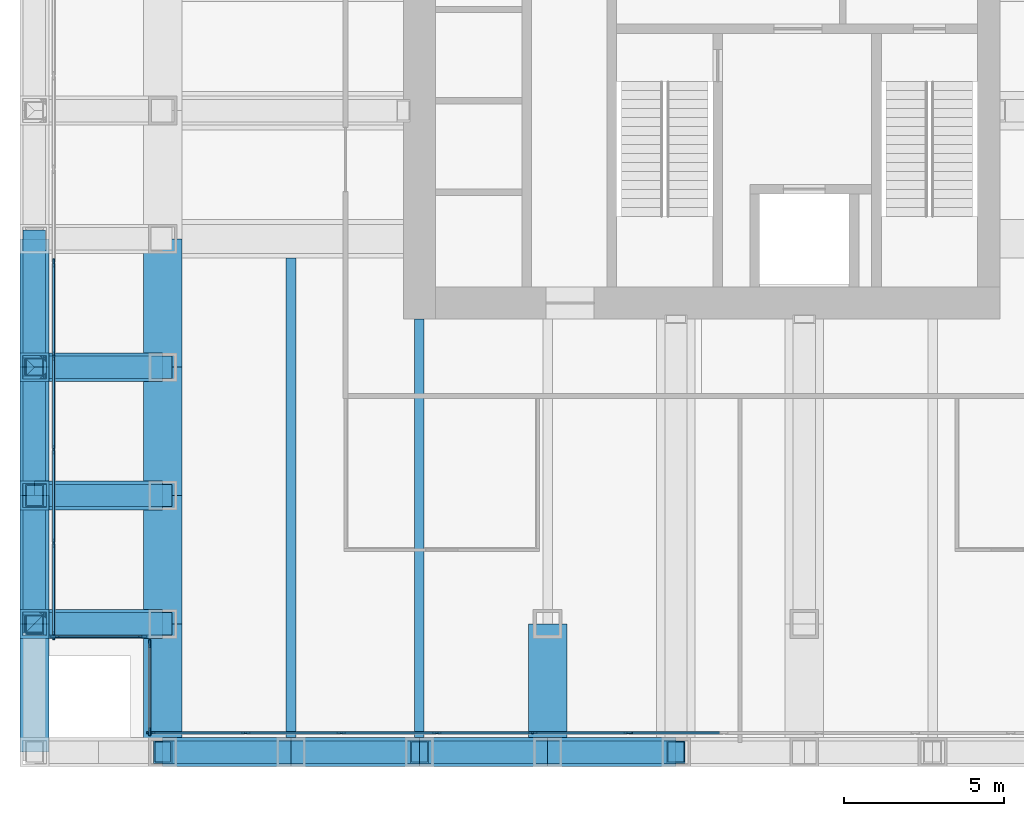
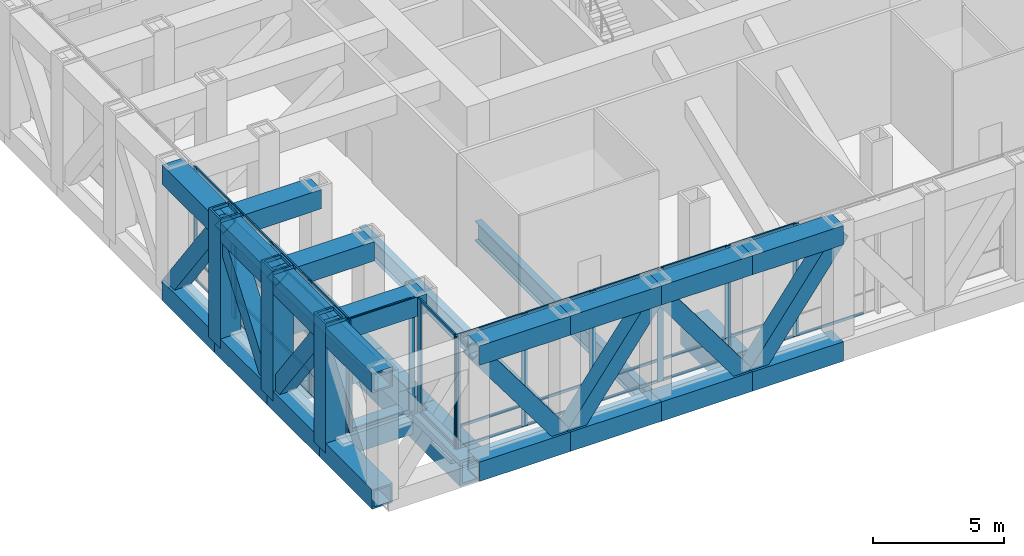
# One storey, part 2 of 13: 60 members, 29 beams, 4 elements without a shape of their own.
"""IFC4 building model written with IfcOpenShell, lengths in metres."""

from ifc_helpers import new_model, si_unit, direction, frame, origin, origin_2d, place, context, subcontext, project, spatial, rectangle, hollow_rectangle, i_section, extrude, material, material_profile, profile_set, type_object, element, aggregate, save


model = new_model("IFC4")

# Units and contexts
model_context = context("Model", 3, precision=1e-05, world=origin(), true_north=direction((0.0, 1.0)))
body_context = subcontext(model_context, "Body", "Model", "MODEL_VIEW")
ifc_project = project(units=[si_unit("LENGTHUNIT", "METRE"), si_unit("AREAUNIT", "SQUARE_METRE"), si_unit("VOLUMEUNIT", "CUBIC_METRE"), si_unit("PLANEANGLEUNIT", "RADIAN"), si_unit("MASSUNIT", "GRAM", prefix="KILO")], contexts=[model_context])

# Site, building, storey
site_placement = place(None, origin())
site = spatial("IfcSite", under=ifc_project, at=site_placement, CompositionType="ELEMENT")
building_placement = place(site_placement, origin())
building = spatial("IfcBuilding", under=site, at=building_placement, Name="Rimbunsela Tower", CompositionType="ELEMENT")
storey_placement = place(building_placement, frame((0.0, 0.0, 137.39990234375)))
storey = spatial("IfcBuildingStorey", under=building, at=storey_placement, Name="L33", CompositionType="ELEMENT", Elevation=137.39990234375)

# Beams
ifc_material_1 = material(Name="Steel BJ 55 (fy 410 MPa)", Category="steel")
ifc_material_profile_1 = material_profile(ifc_material_1, hollow_rectangle(XDim=1.199951171875, YDim=1.199951171875, WallThickness=0.125, at=origin_2d()), Name="BOX 1200x1200x125")
ifc_profile_set_1 = profile_set([ifc_material_profile_1], Name="Steel BJ 55 (fy 410 MPa)")
beam_type_1 = type_object("IfcBeamType", Name="Beam BOX 1200x1200x125", PredefinedType="BEAM", material=ifc_profile_set_1)
for number, where, z_axis, x_axis, name in (
    (1, (10.0, 4.0, -0.75), (0.0, 1.0, 0.0), (-1.0, 0.0, 0.0), "Beam B4 L33"),
    (2, (10.0, 8.0, -0.75), (0.0, 1.0, 0.0), (-1.0, 0.0, 0.0), "Beam B4 L33"),
    (3, (10.0, 12.0, -0.75), (0.0, 1.0, 0.0), (-1.0, 0.0, 0.0), "Beam B4 L33"),
    (4, (10.0, 16.0, -0.75), (0.0, 1.0, 0.0), (-1.0, 0.0, 0.0), "Beam B4 L33"),
    (5, (22.0, 4.0, -0.75), (0.0, 1.0, 0.0), (-1.0, 0.0, 0.0), "Beam B4 L33"),
):
    element("IfcBeam", number, at=place(storey_placement, frame(where, z_axis=z_axis, x_axis=x_axis)), inside=storey, type_object=beam_type_1, Name=name, PredefinedType="BEAM", context=body_context, shape_type="SweptSolid", body=[
        extrude(hollow_rectangle(XDim=1.199951171875, YDim=1.199951171875, WallThickness=0.125, at=origin_2d()), origin(), (0.0, 0.0, 1.0), 4.0),
    ])
ifc_material_2 = material(Name="Steel BJ 55 (fy 410 MPa)", Category="steel")
ifc_material_profile_2 = material_profile(ifc_material_2, i_section(OverallWidth=0.300048828125, OverallDepth=0.89990234375, WebThickness=0.01611328125, FlangeThickness=0.028076171875, FilletRadius=0.028076171875, at=origin_2d()), Name="H 900x300x16x28")
ifc_profile_set_2 = profile_set([ifc_material_profile_2], Name="Steel BJ 55 (fy 410 MPa)")
beam_type_2 = type_object("IfcBeamType", Name="Beam H 900x300x16x28", PredefinedType="BEAM", material=ifc_profile_set_2)
beam_1_placement = place(storey_placement, frame((14.0, 4.0, -0.599853515625), z_axis=(0.0, 1.0, 0.0), x_axis=(-1.0, 0.0, 0.0)))
element("IfcBeam", 6, at=beam_1_placement, inside=storey, type_object=beam_type_2, Name="Beam B2 L33", PredefinedType="BEAM", context=body_context, shape_type="SweptSolid", body=[
    extrude(i_section(OverallWidth=0.300048828125, OverallDepth=0.89990234375, WebThickness=0.01611328125, FlangeThickness=0.028076171875, FilletRadius=0.028076171875, at=origin_2d()), origin(), (0.0, 0.0, 1.0), 15.39990234375),
])
beam_2_placement = place(storey_placement, frame((18.0, 4.0, -0.599853515625), z_axis=(0.0, 1.0, 0.0), x_axis=(-1.0, 0.0, 0.0)))
element("IfcBeam", 7, at=beam_2_placement, inside=storey, type_object=beam_type_2, Name="Beam B2 L33", PredefinedType="BEAM", context=body_context, shape_type="SweptSolid", body=[
    extrude(i_section(OverallWidth=0.300048828125, OverallDepth=0.89990234375, WebThickness=0.01611328125, FlangeThickness=0.028076171875, FilletRadius=0.028076171875, at=origin_2d()), origin(), (0.0, 0.0, 1.0), 13.5),
])

# Curtain wall, members
ifc_material_3 = material(Name="Aluminium curtain wall", Category="aluminium")
curtain_wall_type_1 = type_object("IfcCurtainWallType", Name="Plant floor louvre wall", PredefinedType="USERDEFINED", material=ifc_material_3)
curtain_wall_1_placement = place(storey_placement, origin())
curtain_wall_1 = element("IfcCurtainWall", 8, at=curtain_wall_1_placement, inside=storey, type_object=curtain_wall_type_1, Name="Plant floor louvre wall L33", ObjectType="PLANT FLOOR LOUVRE WALL", PredefinedType="USERDEFINED")
ifc_material_4 = material(Name="Aluminium mullion", Category="aluminium")
ifc_material_profile_3 = material_profile(ifc_material_4, rectangle(XDim=0.06005859375, YDim=0.25, at=origin_2d()), Name="Mullion 60x250")
ifc_profile_set_3 = profile_set([ifc_material_profile_3], Name="Aluminium mullion")
member_type_1 = type_object("IfcMemberType", Name="Curtain wall mullion 60x250", PredefinedType="MULLION", material=ifc_profile_set_3)
member_1_placement = place(storey_placement, frame((6.60009765625, 19.257080078125, 0.0), z_axis=(0.0, 0.0, 1.0), x_axis=(1.0, 0.0, 0.0)))
member_1 = element("IfcMember", 9, at=member_1_placement, type_object=member_type_1, Name="CW3 mullion 11", PredefinedType="MULLION", context=body_context, shape_type="SweptSolid", body=[
    extrude(rectangle(XDim=0.06005859375, YDim=0.25, at=origin_2d()), origin(), (0.0, 0.0, 1.0), 5.25),
])
member_2_placement = place(storey_placement, frame((6.60009765625, 16.3427734375, 0.0), z_axis=(0.0, 0.0, 1.0), x_axis=(1.0, 0.0, 0.0)))
member_2 = element("IfcMember", 10, at=member_2_placement, type_object=member_type_1, Name="CW3 mullion 12", PredefinedType="MULLION", context=body_context, shape_type="SweptSolid", body=[
    extrude(rectangle(XDim=0.06005859375, YDim=0.25, at=origin_2d()), origin(), (0.0, 0.0, 1.0), 5.25),
])
member_3_placement = place(storey_placement, frame((6.60009765625, 13.428466796875, 0.0), z_axis=(0.0, 0.0, 1.0), x_axis=(1.0, 0.0, 0.0)))
member_3 = element("IfcMember", 11, at=member_3_placement, type_object=member_type_1, Name="CW3 mullion 13", PredefinedType="MULLION", context=body_context, shape_type="SweptSolid", body=[
    extrude(rectangle(XDim=0.06005859375, YDim=0.25, at=origin_2d()), origin(), (0.0, 0.0, 1.0), 5.25),
])
member_4_placement = place(storey_placement, frame((6.60009765625, 10.514404296875, 0.0), z_axis=(0.0, 0.0, 1.0), x_axis=(1.0, 0.0, 0.0)))
member_4 = element("IfcMember", 12, at=member_4_placement, type_object=member_type_1, Name="CW3 mullion 14", PredefinedType="MULLION", context=body_context, shape_type="SweptSolid", body=[
    extrude(rectangle(XDim=0.06005859375, YDim=0.25, at=origin_2d()), origin(), (0.0, 0.0, 1.0), 5.25),
])
member_5_placement = place(storey_placement, frame((6.60009765625, 7.6298828125, 0.0), z_axis=(0.0, 0.0, 1.0), x_axis=(1.0, 0.0, 0.0)))
member_5 = element("IfcMember", 13, at=member_5_placement, type_object=member_type_1, Name="CW3 mullion 15", PredefinedType="MULLION", context=body_context, shape_type="SweptSolid", body=[
    extrude(rectangle(XDim=0.06005859375, YDim=0.25, at=origin_2d()), origin(), (0.0, 0.0, 1.0), 5.25),
])

ifc_material_5 = material(Name="Aluminium curtain wall", Category="aluminium")
curtain_wall_type_2 = type_object("IfcCurtainWallType", Name="Spandrel wall", PredefinedType="USERDEFINED", material=ifc_material_5)
curtain_wall_2_placement = place(storey_placement, origin())
curtain_wall_2 = element("IfcCurtainWall", 14, at=curtain_wall_2_placement, inside=storey, type_object=curtain_wall_type_2, Name="Spandrel wall L33", ObjectType="SPANDREL WALL", PredefinedType="USERDEFINED")
member_6_placement = place(storey_placement, frame((6.6298828125, 7.60009765625, 0.0), z_axis=(0.0, 0.0, 1.0), x_axis=(0.0, 1.0, 0.0)))
member_6 = element("IfcMember", 15, at=member_6_placement, type_object=member_type_1, Name="CW7 mullion 1", PredefinedType="MULLION", context=body_context, shape_type="SweptSolid", body=[
    extrude(rectangle(XDim=0.06005859375, YDim=0.25, at=origin_2d()), origin(), (0.0, 0.0, 1.0), 5.25),
])
member_7_placement = place(storey_placement, frame((9.375, 7.60009765625, 0.0), z_axis=(0.0, 0.0, 1.0), x_axis=(0.0, 1.0, 0.0)))
member_7 = element("IfcMember", 16, at=member_7_placement, type_object=member_type_1, Name="CW7 mullion 2", PredefinedType="MULLION", context=body_context, shape_type="SweptSolid", body=[
    extrude(rectangle(XDim=0.06005859375, YDim=0.25, at=origin_2d()), origin(), (0.0, 0.0, 1.0), 5.25),
])

ifc_material_6 = material(Name="Aluminium curtain wall", Category="aluminium")
curtain_wall_type_3 = type_object("IfcCurtainWallType", Name="Corner glazing", PredefinedType="USERDEFINED", material=ifc_material_6)
curtain_wall_3_placement = place(storey_placement, origin())
curtain_wall_3 = element("IfcCurtainWall", 17, at=curtain_wall_3_placement, inside=storey, type_object=curtain_wall_type_3, Name="Corner glazing L33", ObjectType="CORNER GLAZING", PredefinedType="USERDEFINED")
member_8_placement = place(storey_placement, frame((9.60009765625, 7.375, 0.0), z_axis=(0.0, 0.0, 1.0), x_axis=(1.0, 0.0, 0.0)))
member_8 = element("IfcMember", 18, at=member_8_placement, type_object=member_type_1, Name="CW5 mullion 1", PredefinedType="MULLION", context=body_context, shape_type="SweptSolid", body=[
    extrude(rectangle(XDim=0.06005859375, YDim=0.25, at=origin_2d()), origin(), (0.0, 0.0, 1.0), 5.25),
])
member_9_placement = place(storey_placement, frame((9.60009765625, 4.6298828125, 0.0), z_axis=(0.0, 0.0, 1.0), x_axis=(1.0, 0.0, 0.0)))
member_9 = element("IfcMember", 19, at=member_9_placement, type_object=member_type_1, Name="CW5 mullion 2", PredefinedType="MULLION", context=body_context, shape_type="SweptSolid", body=[
    extrude(rectangle(XDim=0.06005859375, YDim=0.25, at=origin_2d()), origin(), (0.0, 0.0, 1.0), 5.25),
])

curtain_wall_4_placement = place(storey_placement, origin())
curtain_wall_4 = element("IfcCurtainWall", 20, at=curtain_wall_4_placement, inside=storey, type_object=curtain_wall_type_1, Name="Plant floor louvre wall L33", ObjectType="PLANT FLOOR LOUVRE WALL", PredefinedType="USERDEFINED")
member_10_placement = place(storey_placement, frame((9.6298828125, 4.60009765625, 0.0), z_axis=(0.0, 0.0, 1.0), x_axis=(0.0, 1.0, 0.0)))
member_10 = element("IfcMember", 21, at=member_10_placement, type_object=member_type_1, Name="CW3 mullion 1", PredefinedType="MULLION", context=body_context, shape_type="SweptSolid", body=[
    extrude(rectangle(XDim=0.06005859375, YDim=0.25, at=origin_2d()), origin(), (0.0, 0.0, 1.0), 5.25),
])
member_11_placement = place(storey_placement, frame((12.581787109375, 4.60009765625, 0.0), z_axis=(0.0, 0.0, 1.0), x_axis=(0.0, 1.0, 0.0)))
member_11 = element("IfcMember", 22, at=member_11_placement, type_object=member_type_1, Name="CW3 mullion 2", PredefinedType="MULLION", context=body_context, shape_type="SweptSolid", body=[
    extrude(rectangle(XDim=0.06005859375, YDim=0.25, at=origin_2d()), origin(), (0.0, 0.0, 1.0), 5.25),
])
member_12_placement = place(storey_placement, frame((15.563720703125, 4.60009765625, 0.0), z_axis=(0.0, 0.0, 1.0), x_axis=(0.0, 1.0, 0.0)))
member_12 = element("IfcMember", 23, at=member_12_placement, type_object=member_type_1, Name="CW3 mullion 3", PredefinedType="MULLION", context=body_context, shape_type="SweptSolid", body=[
    extrude(rectangle(XDim=0.06005859375, YDim=0.25, at=origin_2d()), origin(), (0.0, 0.0, 1.0), 5.25),
])
member_13_placement = place(storey_placement, frame((18.54541015625, 4.60009765625, 0.0), z_axis=(0.0, 0.0, 1.0), x_axis=(0.0, 1.0, 0.0)))
member_13 = element("IfcMember", 24, at=member_13_placement, type_object=member_type_1, Name="CW3 mullion 4", PredefinedType="MULLION", context=body_context, shape_type="SweptSolid", body=[
    extrude(rectangle(XDim=0.06005859375, YDim=0.25, at=origin_2d()), origin(), (0.0, 0.0, 1.0), 5.25),
])
member_14_placement = place(storey_placement, frame((21.52734375, 4.60009765625, 0.0), z_axis=(0.0, 0.0, 1.0), x_axis=(0.0, 1.0, 0.0)))
member_14 = element("IfcMember", 25, at=member_14_placement, type_object=member_type_1, Name="CW3 mullion 5", PredefinedType="MULLION", context=body_context, shape_type="SweptSolid", body=[
    extrude(rectangle(XDim=0.06005859375, YDim=0.25, at=origin_2d()), origin(), (0.0, 0.0, 1.0), 5.25),
])
member_15_placement = place(storey_placement, frame((24.509033203125, 4.60009765625, 0.0), z_axis=(0.0, 0.0, 1.0), x_axis=(0.0, 1.0, 0.0)))
member_15 = element("IfcMember", 26, at=member_15_placement, type_object=member_type_1, Name="CW3 mullion 6", PredefinedType="MULLION", context=body_context, shape_type="SweptSolid", body=[
    extrude(rectangle(XDim=0.06005859375, YDim=0.25, at=origin_2d()), origin(), (0.0, 0.0, 1.0), 5.25),
])

# Member
ifc_material_7 = material(Name="Aluminium transom", Category="aluminium")
ifc_material_profile_4 = material_profile(ifc_material_7, rectangle(XDim=0.06005859375, YDim=0.1201171875, at=origin_2d()), Name="Transom 60x120")
ifc_profile_set_4 = profile_set([ifc_material_profile_4], Name="Aluminium transom")
member_type_2 = type_object("IfcMemberType", Name="Curtain wall transom 60x120", PredefinedType="USERDEFINED", material=ifc_profile_set_4)
member_16_placement = place(storey_placement, frame((6.60009765625, 19.22705078125, 0.030029296875), z_axis=(0.0, -1.0, 0.0), x_axis=(1.0, 0.0, 0.0)))
member_16 = element("IfcMember", 27, at=member_16_placement, type_object=member_type_2, Name="CW3 transom 11.1", ObjectType="TRANSOM", PredefinedType="USERDEFINED", context=body_context, shape_type="SweptSolid", body=[
    extrude(rectangle(XDim=0.06005859375, YDim=0.1201171875, at=origin_2d()), origin(), (0.0, 0.0, 1.0), 2.854248046875),
])

member_17_placement = place(storey_placement, frame((6.60009765625, 19.22705078125, 1.0), z_axis=(0.0, -1.0, 0.0), x_axis=(1.0, 0.0, 0.0)))
member_17 = element("IfcMember", 28, at=member_17_placement, type_object=member_type_2, Name="CW3 transom 11.2", ObjectType="TRANSOM", PredefinedType="USERDEFINED", context=body_context, shape_type="SweptSolid", body=[
    extrude(rectangle(XDim=0.06005859375, YDim=0.1201171875, at=origin_2d()), origin(), (0.0, 0.0, 1.0), 2.854248046875),
])

member_18_placement = place(storey_placement, frame((6.60009765625, 19.22705078125, 5.22021484375), z_axis=(0.0, -1.0, 0.0), x_axis=(1.0, 0.0, 0.0)))
member_18 = element("IfcMember", 29, at=member_18_placement, type_object=member_type_2, Name="CW3 transom 11.3", ObjectType="TRANSOM", PredefinedType="USERDEFINED", context=body_context, shape_type="SweptSolid", body=[
    extrude(rectangle(XDim=0.06005859375, YDim=0.1201171875, at=origin_2d()), origin(), (0.0, 0.0, 1.0), 2.854248046875),
])

member_19_placement = place(storey_placement, frame((6.60009765625, 16.312744140625, 0.030029296875), z_axis=(0.0, -1.0, 0.0), x_axis=(1.0, 0.0, 0.0)))
member_19 = element("IfcMember", 30, at=member_19_placement, type_object=member_type_2, Name="CW3 transom 12.1", ObjectType="TRANSOM", PredefinedType="USERDEFINED", context=body_context, shape_type="SweptSolid", body=[
    extrude(rectangle(XDim=0.06005859375, YDim=0.1201171875, at=origin_2d()), origin(), (0.0, 0.0, 1.0), 2.854248046875),
])

member_20_placement = place(storey_placement, frame((6.60009765625, 16.312744140625, 1.0), z_axis=(0.0, -1.0, 0.0), x_axis=(1.0, 0.0, 0.0)))
member_20 = element("IfcMember", 31, at=member_20_placement, type_object=member_type_2, Name="CW3 transom 12.2", ObjectType="TRANSOM", PredefinedType="USERDEFINED", context=body_context, shape_type="SweptSolid", body=[
    extrude(rectangle(XDim=0.06005859375, YDim=0.1201171875, at=origin_2d()), origin(), (0.0, 0.0, 1.0), 2.854248046875),
])

member_21_placement = place(storey_placement, frame((6.60009765625, 16.312744140625, 5.22021484375), z_axis=(0.0, -1.0, 0.0), x_axis=(1.0, 0.0, 0.0)))
member_21 = element("IfcMember", 32, at=member_21_placement, type_object=member_type_2, Name="CW3 transom 12.3", ObjectType="TRANSOM", PredefinedType="USERDEFINED", context=body_context, shape_type="SweptSolid", body=[
    extrude(rectangle(XDim=0.06005859375, YDim=0.1201171875, at=origin_2d()), origin(), (0.0, 0.0, 1.0), 2.854248046875),
])

member_22_placement = place(storey_placement, frame((6.60009765625, 13.398681640625, 0.030029296875), z_axis=(0.0, -1.0, 0.0), x_axis=(1.0, 0.0, 0.0)))
member_22 = element("IfcMember", 33, at=member_22_placement, type_object=member_type_2, Name="CW3 transom 13.1", ObjectType="TRANSOM", PredefinedType="USERDEFINED", context=body_context, shape_type="SweptSolid", body=[
    extrude(rectangle(XDim=0.06005859375, YDim=0.1201171875, at=origin_2d()), origin(), (0.0, 0.0, 1.0), 2.8544921875),
])

member_23_placement = place(storey_placement, frame((6.60009765625, 13.398681640625, 1.0), z_axis=(0.0, -1.0, 0.0), x_axis=(1.0, 0.0, 0.0)))
member_23 = element("IfcMember", 34, at=member_23_placement, type_object=member_type_2, Name="CW3 transom 13.2", ObjectType="TRANSOM", PredefinedType="USERDEFINED", context=body_context, shape_type="SweptSolid", body=[
    extrude(rectangle(XDim=0.06005859375, YDim=0.1201171875, at=origin_2d()), origin(), (0.0, 0.0, 1.0), 2.8544921875),
])

member_24_placement = place(storey_placement, frame((6.60009765625, 13.398681640625, 5.22021484375), z_axis=(0.0, -1.0, 0.0), x_axis=(1.0, 0.0, 0.0)))
member_24 = element("IfcMember", 35, at=member_24_placement, type_object=member_type_2, Name="CW3 transom 13.3", ObjectType="TRANSOM", PredefinedType="USERDEFINED", context=body_context, shape_type="SweptSolid", body=[
    extrude(rectangle(XDim=0.06005859375, YDim=0.1201171875, at=origin_2d()), origin(), (0.0, 0.0, 1.0), 2.8544921875),
])

member_25_placement = place(storey_placement, frame((6.60009765625, 10.484375, 0.030029296875), z_axis=(0.0, -1.0, 0.0), x_axis=(1.0, 0.0, 0.0)))
member_25 = element("IfcMember", 36, at=member_25_placement, type_object=member_type_2, Name="CW3 transom 14.1", ObjectType="TRANSOM", PredefinedType="USERDEFINED", context=body_context, shape_type="SweptSolid", body=[
    extrude(rectangle(XDim=0.06005859375, YDim=0.1201171875, at=origin_2d()), origin(), (0.0, 0.0, 1.0), 2.824462890625),
])

member_26_placement = place(storey_placement, frame((6.60009765625, 10.484375, 1.0), z_axis=(0.0, -1.0, 0.0), x_axis=(1.0, 0.0, 0.0)))
member_26 = element("IfcMember", 37, at=member_26_placement, type_object=member_type_2, Name="CW3 transom 14.2", ObjectType="TRANSOM", PredefinedType="USERDEFINED", context=body_context, shape_type="SweptSolid", body=[
    extrude(rectangle(XDim=0.06005859375, YDim=0.1201171875, at=origin_2d()), origin(), (0.0, 0.0, 1.0), 2.824462890625),
])

member_27_placement = place(storey_placement, frame((6.60009765625, 10.484375, 5.22021484375), z_axis=(0.0, -1.0, 0.0), x_axis=(1.0, 0.0, 0.0)))
member_27 = element("IfcMember", 38, at=member_27_placement, type_object=member_type_2, Name="CW3 transom 14.3", ObjectType="TRANSOM", PredefinedType="USERDEFINED", context=body_context, shape_type="SweptSolid", body=[
    extrude(rectangle(XDim=0.06005859375, YDim=0.1201171875, at=origin_2d()), origin(), (0.0, 0.0, 1.0), 2.824462890625),
])

aggregate(curtain_wall_1, [member_1, member_2, member_3, member_4, member_5, member_16, member_17, member_18, member_19, member_20, member_21, member_22, member_23, member_24, member_25, member_26, member_27])

member_28_placement = place(storey_placement, frame((6.659912109375, 7.60009765625, 0.030029296875), z_axis=(1.0, 0.0, 0.0), x_axis=(0.0, 1.0, 0.0)))
member_28 = element("IfcMember", 39, at=member_28_placement, type_object=member_type_2, Name="CW7 transom 1.1", ObjectType="TRANSOM", PredefinedType="USERDEFINED", context=body_context, shape_type="SweptSolid", body=[
    extrude(rectangle(XDim=0.06005859375, YDim=0.1201171875, at=origin_2d()), origin(), (0.0, 0.0, 1.0), 2.68505859375),
])

member_29_placement = place(storey_placement, frame((6.659912109375, 7.60009765625, 5.22021484375), z_axis=(1.0, 0.0, 0.0), x_axis=(0.0, 1.0, 0.0)))
member_29 = element("IfcMember", 40, at=member_29_placement, type_object=member_type_2, Name="CW7 transom 1.2", ObjectType="TRANSOM", PredefinedType="USERDEFINED", context=body_context, shape_type="SweptSolid", body=[
    extrude(rectangle(XDim=0.06005859375, YDim=0.1201171875, at=origin_2d()), origin(), (0.0, 0.0, 1.0), 2.68505859375),
])

aggregate(curtain_wall_2, [member_6, member_7, member_28, member_29])

member_30_placement = place(storey_placement, frame((9.60009765625, 7.344970703125, 0.030029296875), z_axis=(0.0, -1.0, 0.0), x_axis=(1.0, 0.0, 0.0)))
member_30 = element("IfcMember", 41, at=member_30_placement, type_object=member_type_2, Name="CW5 transom 1.1", ObjectType="TRANSOM", PredefinedType="USERDEFINED", context=body_context, shape_type="SweptSolid", body=[
    extrude(rectangle(XDim=0.06005859375, YDim=0.1201171875, at=origin_2d()), origin(), (0.0, 0.0, 1.0), 2.68505859375),
])

member_31_placement = place(storey_placement, frame((9.60009765625, 7.344970703125, 5.22021484375), z_axis=(0.0, -1.0, 0.0), x_axis=(1.0, 0.0, 0.0)))
member_31 = element("IfcMember", 42, at=member_31_placement, type_object=member_type_2, Name="CW5 transom 1.2", ObjectType="TRANSOM", PredefinedType="USERDEFINED", context=body_context, shape_type="SweptSolid", body=[
    extrude(rectangle(XDim=0.06005859375, YDim=0.1201171875, at=origin_2d()), origin(), (0.0, 0.0, 1.0), 2.68505859375),
])

aggregate(curtain_wall_3, [member_8, member_9, member_30, member_31])

member_32_placement = place(storey_placement, frame((9.659912109375, 4.60009765625, 0.030029296875), z_axis=(1.0, 0.0, 0.0), x_axis=(0.0, 1.0, 0.0)))
member_32 = element("IfcMember", 43, at=member_32_placement, type_object=member_type_2, Name="CW3 transom 1.1", ObjectType="TRANSOM", PredefinedType="USERDEFINED", context=body_context, shape_type="SweptSolid", body=[
    extrude(rectangle(XDim=0.06005859375, YDim=0.1201171875, at=origin_2d()), origin(), (0.0, 0.0, 1.0), 2.891845703125),
])

member_33_placement = place(storey_placement, frame((9.659912109375, 4.60009765625, 1.0), z_axis=(1.0, 0.0, 0.0), x_axis=(0.0, 1.0, 0.0)))
member_33 = element("IfcMember", 44, at=member_33_placement, type_object=member_type_2, Name="CW3 transom 1.2", ObjectType="TRANSOM", PredefinedType="USERDEFINED", context=body_context, shape_type="SweptSolid", body=[
    extrude(rectangle(XDim=0.06005859375, YDim=0.1201171875, at=origin_2d()), origin(), (0.0, 0.0, 1.0), 2.891845703125),
])

member_34_placement = place(storey_placement, frame((9.659912109375, 4.60009765625, 5.22021484375), z_axis=(1.0, 0.0, 0.0), x_axis=(0.0, 1.0, 0.0)))
member_34 = element("IfcMember", 45, at=member_34_placement, type_object=member_type_2, Name="CW3 transom 1.3", ObjectType="TRANSOM", PredefinedType="USERDEFINED", context=body_context, shape_type="SweptSolid", body=[
    extrude(rectangle(XDim=0.06005859375, YDim=0.1201171875, at=origin_2d()), origin(), (0.0, 0.0, 1.0), 2.891845703125),
])

member_35_placement = place(storey_placement, frame((12.61181640625, 4.60009765625, 0.030029296875), z_axis=(1.0, 0.0, 0.0), x_axis=(0.0, 1.0, 0.0)))
member_35 = element("IfcMember", 46, at=member_35_placement, type_object=member_type_2, Name="CW3 transom 2.1", ObjectType="TRANSOM", PredefinedType="USERDEFINED", context=body_context, shape_type="SweptSolid", body=[
    extrude(rectangle(XDim=0.06005859375, YDim=0.1201171875, at=origin_2d()), origin(), (0.0, 0.0, 1.0), 2.921875),
])

member_36_placement = place(storey_placement, frame((12.61181640625, 4.60009765625, 1.0), z_axis=(1.0, 0.0, 0.0), x_axis=(0.0, 1.0, 0.0)))
member_36 = element("IfcMember", 47, at=member_36_placement, type_object=member_type_2, Name="CW3 transom 2.2", ObjectType="TRANSOM", PredefinedType="USERDEFINED", context=body_context, shape_type="SweptSolid", body=[
    extrude(rectangle(XDim=0.06005859375, YDim=0.1201171875, at=origin_2d()), origin(), (0.0, 0.0, 1.0), 2.921875),
])

member_37_placement = place(storey_placement, frame((12.61181640625, 4.60009765625, 5.22021484375), z_axis=(1.0, 0.0, 0.0), x_axis=(0.0, 1.0, 0.0)))
member_37 = element("IfcMember", 48, at=member_37_placement, type_object=member_type_2, Name="CW3 transom 2.3", ObjectType="TRANSOM", PredefinedType="USERDEFINED", context=body_context, shape_type="SweptSolid", body=[
    extrude(rectangle(XDim=0.06005859375, YDim=0.1201171875, at=origin_2d()), origin(), (0.0, 0.0, 1.0), 2.921875),
])

member_38_placement = place(storey_placement, frame((15.59375, 4.60009765625, 0.030029296875), z_axis=(1.0, 0.0, 0.0), x_axis=(0.0, 1.0, 0.0)))
member_38 = element("IfcMember", 49, at=member_38_placement, type_object=member_type_2, Name="CW3 transom 3.1", ObjectType="TRANSOM", PredefinedType="USERDEFINED", context=body_context, shape_type="SweptSolid", body=[
    extrude(rectangle(XDim=0.06005859375, YDim=0.1201171875, at=origin_2d()), origin(), (0.0, 0.0, 1.0), 2.921630859375),
])

member_39_placement = place(storey_placement, frame((15.59375, 4.60009765625, 1.0), z_axis=(1.0, 0.0, 0.0), x_axis=(0.0, 1.0, 0.0)))
member_39 = element("IfcMember", 50, at=member_39_placement, type_object=member_type_2, Name="CW3 transom 3.2", ObjectType="TRANSOM", PredefinedType="USERDEFINED", context=body_context, shape_type="SweptSolid", body=[
    extrude(rectangle(XDim=0.06005859375, YDim=0.1201171875, at=origin_2d()), origin(), (0.0, 0.0, 1.0), 2.921630859375),
])

member_40_placement = place(storey_placement, frame((15.59375, 4.60009765625, 5.22021484375), z_axis=(1.0, 0.0, 0.0), x_axis=(0.0, 1.0, 0.0)))
member_40 = element("IfcMember", 51, at=member_40_placement, type_object=member_type_2, Name="CW3 transom 3.3", ObjectType="TRANSOM", PredefinedType="USERDEFINED", context=body_context, shape_type="SweptSolid", body=[
    extrude(rectangle(XDim=0.06005859375, YDim=0.1201171875, at=origin_2d()), origin(), (0.0, 0.0, 1.0), 2.921630859375),
])

member_41_placement = place(storey_placement, frame((18.575439453125, 4.60009765625, 0.030029296875), z_axis=(1.0, 0.0, 0.0), x_axis=(0.0, 1.0, 0.0)))
member_41 = element("IfcMember", 52, at=member_41_placement, type_object=member_type_2, Name="CW3 transom 4.1", ObjectType="TRANSOM", PredefinedType="USERDEFINED", context=body_context, shape_type="SweptSolid", body=[
    extrude(rectangle(XDim=0.06005859375, YDim=0.1201171875, at=origin_2d()), origin(), (0.0, 0.0, 1.0), 2.921875),
])

member_42_placement = place(storey_placement, frame((18.575439453125, 4.60009765625, 1.0), z_axis=(1.0, 0.0, 0.0), x_axis=(0.0, 1.0, 0.0)))
member_42 = element("IfcMember", 53, at=member_42_placement, type_object=member_type_2, Name="CW3 transom 4.2", ObjectType="TRANSOM", PredefinedType="USERDEFINED", context=body_context, shape_type="SweptSolid", body=[
    extrude(rectangle(XDim=0.06005859375, YDim=0.1201171875, at=origin_2d()), origin(), (0.0, 0.0, 1.0), 2.921875),
])

member_43_placement = place(storey_placement, frame((18.575439453125, 4.60009765625, 5.22021484375), z_axis=(1.0, 0.0, 0.0), x_axis=(0.0, 1.0, 0.0)))
member_43 = element("IfcMember", 54, at=member_43_placement, type_object=member_type_2, Name="CW3 transom 4.3", ObjectType="TRANSOM", PredefinedType="USERDEFINED", context=body_context, shape_type="SweptSolid", body=[
    extrude(rectangle(XDim=0.06005859375, YDim=0.1201171875, at=origin_2d()), origin(), (0.0, 0.0, 1.0), 2.921875),
])

member_44_placement = place(storey_placement, frame((21.557373046875, 4.60009765625, 0.030029296875), z_axis=(1.0, 0.0, 0.0), x_axis=(0.0, 1.0, 0.0)))
member_44 = element("IfcMember", 55, at=member_44_placement, type_object=member_type_2, Name="CW3 transom 5.1", ObjectType="TRANSOM", PredefinedType="USERDEFINED", context=body_context, shape_type="SweptSolid", body=[
    extrude(rectangle(XDim=0.06005859375, YDim=0.1201171875, at=origin_2d()), origin(), (0.0, 0.0, 1.0), 2.921630859375),
])

member_45_placement = place(storey_placement, frame((21.557373046875, 4.60009765625, 1.0), z_axis=(1.0, 0.0, 0.0), x_axis=(0.0, 1.0, 0.0)))
member_45 = element("IfcMember", 56, at=member_45_placement, type_object=member_type_2, Name="CW3 transom 5.2", ObjectType="TRANSOM", PredefinedType="USERDEFINED", context=body_context, shape_type="SweptSolid", body=[
    extrude(rectangle(XDim=0.06005859375, YDim=0.1201171875, at=origin_2d()), origin(), (0.0, 0.0, 1.0), 2.921630859375),
])

member_46_placement = place(storey_placement, frame((21.557373046875, 4.60009765625, 5.22021484375), z_axis=(1.0, 0.0, 0.0), x_axis=(0.0, 1.0, 0.0)))
member_46 = element("IfcMember", 57, at=member_46_placement, type_object=member_type_2, Name="CW3 transom 5.3", ObjectType="TRANSOM", PredefinedType="USERDEFINED", context=body_context, shape_type="SweptSolid", body=[
    extrude(rectangle(XDim=0.06005859375, YDim=0.1201171875, at=origin_2d()), origin(), (0.0, 0.0, 1.0), 2.921630859375),
])

member_47_placement = place(storey_placement, frame((24.5390625, 4.60009765625, 0.030029296875), z_axis=(1.0, 0.0, 0.0), x_axis=(0.0, 1.0, 0.0)))
member_47 = element("IfcMember", 58, at=member_47_placement, type_object=member_type_2, Name="CW3 transom 6.1", ObjectType="TRANSOM", PredefinedType="USERDEFINED", context=body_context, shape_type="SweptSolid", body=[
    extrude(rectangle(XDim=0.06005859375, YDim=0.1201171875, at=origin_2d()), origin(), (0.0, 0.0, 1.0), 2.921875),
])

aggregate(curtain_wall_4, [member_10, member_11, member_12, member_13, member_14, member_15, member_32, member_33, member_34, member_35, member_36, member_37, member_38, member_39, member_40, member_41, member_42, member_43, member_44, member_45, member_46, member_47])

# Beams
ifc_material_8 = material(Name="Steel BJ 55 (fy 410 MPa)", Category="steel")
ifc_material_profile_5 = material_profile(ifc_material_8, hollow_rectangle(XDim=0.89990234375, YDim=0.89990234375, WallThickness=0.080078125, at=origin_2d()), Name="BOX 900x900x80")
ifc_profile_set_5 = profile_set([ifc_material_profile_5], Name="Steel BJ 55 (fy 410 MPa)")
beam_type_3 = type_object("IfcBeamType", Name="Truss chord BOX 900x900x80", PredefinedType="USERDEFINED", material=ifc_profile_set_5)
for number, where, z_axis, x_axis, name in (
    (59, (10.0, 4.0, 4.800048828125), (1.0, 0.0, 0.0), (0.0, 1.0, 0.0), "Truss top chord TC3 S face L33"),
    (60, (14.0, 4.0, 4.800048828125), (1.0, 0.0, 0.0), (0.0, 1.0, 0.0), "Truss top chord TC3 S face L33"),
    (61, (18.0, 4.0, 4.800048828125), (1.0, 0.0, 0.0), (0.0, 1.0, 0.0), "Truss top chord TC3 S face L33"),
    (62, (22.0, 4.0, 4.800048828125), (1.0, 0.0, 0.0), (0.0, 1.0, 0.0), "Truss top chord TC3 S face L33"),
    (63, (6.0, 4.0, 4.800048828125), (0.0, 1.0, 0.0), (-1.0, 0.0, 0.0), "Truss top chord TC3 W face L33"),
    (64, (6.0, 8.0, 4.800048828125), (0.0, 1.0, 0.0), (-1.0, 0.0, 0.0), "Truss top chord TC3 W face L33"),
    (65, (6.0, 12.0, 4.800048828125), (0.0, 1.0, 0.0), (-1.0, 0.0, 0.0), "Truss top chord TC3 W face L33"),
    (66, (6.0, 16.0, 4.800048828125), (0.0, 1.0, 0.0), (-1.0, 0.0, 0.0), "Truss top chord TC3 W face L33"),
    (67, (10.0, 4.0, -0.599853515625), (1.0, 0.0, 0.0), (0.0, 1.0, 0.0), "Truss bottom chord TC3 S face L33"),
    (68, (14.0, 4.0, -0.599853515625), (1.0, 0.0, 0.0), (0.0, 1.0, 0.0), "Truss bottom chord TC3 S face L33"),
    (69, (18.0, 4.0, -0.599853515625), (1.0, 0.0, 0.0), (0.0, 1.0, 0.0), "Truss bottom chord TC3 S face L33"),
    (70, (22.0, 4.0, -0.599853515625), (1.0, 0.0, 0.0), (0.0, 1.0, 0.0), "Truss bottom chord TC3 S face L33"),
    (71, (10.0, 8.0, -0.599853515625), (-1.0, 0.0, 0.0), (0.0, -1.0, 0.0), "Cantilever truss bottom chord TC3 4/D L33"),
    (72, (10.0, 8.0, 4.800048828125), (-1.0, 0.0, 0.0), (0.0, -1.0, 0.0), "Cantilever truss top chord TC3 4/D L33"),
    (73, (10.0, 12.0, -0.599853515625), (-1.0, 0.0, 0.0), (0.0, -1.0, 0.0), "Cantilever truss bottom chord TC3 4/E L33"),
    (74, (10.0, 12.0, 4.800048828125), (-1.0, 0.0, 0.0), (0.0, -1.0, 0.0), "Cantilever truss top chord TC3 4/E L33"),
    (75, (10.0, 16.0, -0.599853515625), (-1.0, 0.0, 0.0), (0.0, -1.0, 0.0), "Cantilever truss bottom chord TC3 4/F L33"),
    (76, (10.0, 16.0, 4.800048828125), (-1.0, 0.0, 0.0), (0.0, -1.0, 0.0), "Cantilever truss top chord TC3 4/F L33"),
    (77, (6.0, 4.0, -0.599853515625), (0.0, 1.0, 0.0), (-1.0, 0.0, 0.0), "Truss bottom chord TC3 W face L33"),
    (78, (6.0, 8.0, -0.599853515625), (0.0, 1.0, 0.0), (-1.0, 0.0, 0.0), "Truss bottom chord TC3 W face L33"),
    (79, (6.0, 12.0, -0.599853515625), (0.0, 1.0, 0.0), (-1.0, 0.0, 0.0), "Truss bottom chord TC3 W face L33"),
    (80, (6.0, 16.0, -0.599853515625), (0.0, 1.0, 0.0), (-1.0, 0.0, 0.0), "Truss bottom chord TC3 W face L33"),
):
    element("IfcBeam", number, at=place(storey_placement, frame(where, z_axis=z_axis, x_axis=x_axis)), inside=storey, type_object=beam_type_3, Name=name, ObjectType="TRUSS CHORD", PredefinedType="USERDEFINED", context=body_context, shape_type="SweptSolid", body=[
        extrude(hollow_rectangle(XDim=0.89990234375, YDim=0.89990234375, WallThickness=0.080078125, at=origin_2d()), origin(), (0.0, 0.0, 1.0), 4.0),
    ])

# Members
ifc_material_9 = material(Name="Steel BJ 55 (fy 410 MPa)", Category="steel")
ifc_material_profile_6 = material_profile(ifc_material_9, hollow_rectangle(XDim=0.699951171875, YDim=0.699951171875, WallThickness=0.0400390625, at=origin_2d()), Name="BOX 700x700x40")
ifc_profile_set_6 = profile_set([ifc_material_profile_6], Name="Steel BJ 55 (fy 410 MPa)")
member_type_3 = type_object("IfcMemberType", Name="Truss diagonal BOX 700x700x40", PredefinedType="BRACE", material=ifc_profile_set_6)
for number, where, z_axis, x_axis, name in (
    (81, (10.0, 4.0, 4.800048828125), (0.595234501294, 0.0, -0.803552044655), (0.0, 1.0, 0.0), "Truss diagonal TD3 S face L33"),
    (82, (14.0, 4.0, -0.599853515625), (0.595234501294, 0.0, 0.803552044655), (0.0, 1.0, 0.0), "Truss diagonal TD3 S face L33"),
    (83, (18.0, 4.0, 4.800048828125), (0.595234501294, 0.0, -0.803552044655), (0.0, 1.0, 0.0), "Truss diagonal TD3 S face L33"),
    (84, (22.0, 4.0, -0.599853515625), (0.595234501294, 0.0, 0.803552044655), (0.0, 1.0, 0.0), "Truss diagonal TD3 S face L33"),
    (85, (6.0, 8.0, 4.800048828125), (0.0, 0.595234501294, -0.803552044655), (-1.0, 0.0, 0.0), "Truss diagonal TD3 W face L33"),
    (86, (6.0, 12.0, -0.599853515625), (0.0, 0.595234501294, 0.803552044655), (-1.0, 0.0, 0.0), "Truss diagonal TD3 W face L33"),
    (87, (6.0, 16.0, 4.800048828125), (0.0, 0.595234501294, -0.803552044655), (-1.0, 0.0, 0.0), "Truss diagonal TD3 W face L33"),
    (88, (10.0, 8.0, -0.599853515625), (-0.595234501294, 0.0, 0.803552044655), (0.0, -1.0, 0.0), "Cantilever truss diagonal TD3 4/D L33"),
    (89, (10.0, 12.0, -0.599853515625), (-0.595234501294, 0.0, 0.803552044655), (0.0, -1.0, 0.0), "Cantilever truss diagonal TD3 4/E L33"),
    (90, (10.0, 16.0, -0.599853515625), (-0.595234501294, 0.0, 0.803552044655), (0.0, -1.0, 0.0), "Cantilever truss diagonal TD3 4/F L33"),
):
    element("IfcMember", number, at=place(storey_placement, frame(where, z_axis=z_axis, x_axis=x_axis)), inside=storey, type_object=member_type_3, Name=name, PredefinedType="BRACE", context=body_context, shape_type="SweptSolid", body=[
        extrude(hollow_rectangle(XDim=0.699951171875, YDim=0.699951171875, WallThickness=0.0400390625, at=origin_2d()), origin(), (0.0, 0.0, 1.0), 6.719970703125),
    ])
ifc_material_10 = material(Name="Steel BJ 55 (fy 410 MPa)", Category="steel")
ifc_material_profile_7 = material_profile(ifc_material_10, hollow_rectangle(XDim=0.89990234375, YDim=0.89990234375, WallThickness=0.080078125, at=origin_2d()), Name="BOX 900x900x80")
ifc_profile_set_7 = profile_set([ifc_material_profile_7], Name="Steel BJ 55 (fy 410 MPa)")
member_type_4 = type_object("IfcMemberType", Name="Truss post BOX 900x900x80", PredefinedType="POST", material=ifc_profile_set_7)
for number, where, z_axis, x_axis, name in (
    (91, (6.0, 8.0, -0.599853515625), (0.0, 0.0, 1.0), (1.0, 0.0, 0.0), "Truss post TP3 4/D L33"),
    (92, (6.0, 12.0, -0.599853515625), (0.0, 0.0, 1.0), (1.0, 0.0, 0.0), "Truss post TP3 4/E L33"),
    (93, (6.0, 16.0, -0.599853515625), (0.0, 0.0, 1.0), (1.0, 0.0, 0.0), "Truss post TP3 4/F L33"),
):
    element("IfcMember", number, at=place(storey_placement, frame(where, z_axis=z_axis, x_axis=x_axis)), inside=storey, type_object=member_type_4, Name=name, PredefinedType="POST", context=body_context, shape_type="SweptSolid", body=[
        extrude(hollow_rectangle(XDim=0.89990234375, YDim=0.89990234375, WallThickness=0.080078125, at=origin_2d()), origin(), (0.0, 0.0, 1.0), 6.0),
    ])

save(model, "model.ifc")
